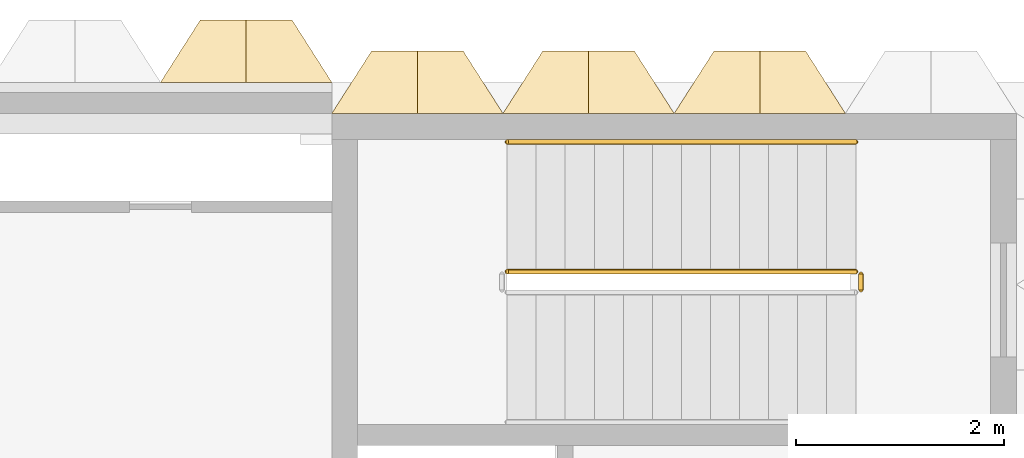
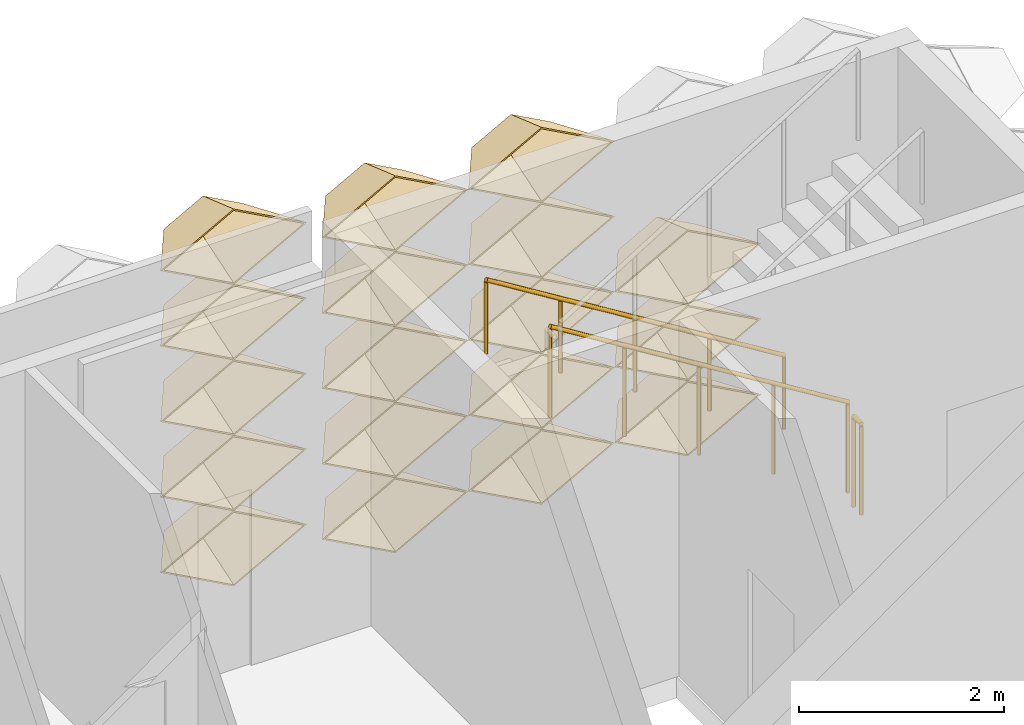
# One storey, part 99 of 102: 18 coverings, 3 railings.
"""IFC4 building model written with IfcOpenShell, lengths in metres."""

from ifc_helpers import new_model, entity, si_unit, direction, frame, origin, origin_2d, place, context, subcontext, project, spatial, circle, extrude, material, layer, layer_set, type_object, element, save


model = new_model("IFC4")

# Units and contexts
model_context = context("Model", 3, precision=1e-05, world=origin(), true_north=direction((0.0, 1.0)))
body_context = subcontext(model_context, "Body", "Model", "MODEL_VIEW")
ifc_project = project(units=[si_unit("LENGTHUNIT", "METRE"), si_unit("AREAUNIT", "SQUARE_METRE"), si_unit("VOLUMEUNIT", "CUBIC_METRE"), si_unit("PLANEANGLEUNIT", "RADIAN"), si_unit("MASSUNIT", "GRAM", prefix="KILO")], contexts=[model_context])

# Site, building, storey
site_placement = place(None, origin())
site = spatial("IfcSite", under=ifc_project, at=site_placement, CompositionType="ELEMENT")
building_placement = place(site_placement, origin())
building = spatial("IfcBuilding", under=site, at=building_placement, Name="Lantern Court Research Institute", CompositionType="ELEMENT")
storey_placement = place(building_placement, frame((0.0, 0.0, 9.89990234375)))
storey = spatial("IfcBuildingStorey", under=building, at=storey_placement, Name="L02", CompositionType="ELEMENT", Elevation=9.89990234375)

# Coverings
ifc_material_1 = material(Name="Anodised aluminium", Category="aluminium")
ifc_layer = layer(ifc_material_1, 0.01611328125)
ifc_layer_set = layer_set([ifc_layer], Name="Anodised aluminium")
covering_type = type_object("IfcCoveringType", Name="Fin cassette 1650 x 900 x 600 aluminium", PredefinedType="CLADDING", material=ifc_layer_set)
covering_1_placement = place(storey_placement, frame((73.425048828125, 99.0, 0.4501953125), z_axis=(0.0, 1.0, 0.0), x_axis=(-1.0, 0.0, 0.0)))
cartesian_point_1 = entity("IfcCartesianPoint", [0.824951171875, 0.0])
cartesian_point_2 = entity("IfcCartesianPoint", [0.79150390625, 0.0])
cartesian_point_3 = entity("IfcCartesianPoint", [0.44189453125, 0.0])
cartesian_point_4 = entity("IfcCartesianPoint", [0.43359375, 0.0])
element("IfcCovering", 1, at=covering_1_placement, inside=storey, type_object=covering_type, Name="Fin cassette V6N-L02 1.45", PredefinedType="CLADDING", context=body_context, shape_type="SweptSolid", body=[
    entity("IfcExtrudedAreaSolidTapered", entity("IfcArbitraryProfileDefWithVoids", "AREA", None, entity("IfcPolyline", [cartesian_point_1, entity("IfcCartesianPoint", [0.0, 0.449951171875]), entity("IfcCartesianPoint", [-0.824951171875, 0.0]), entity("IfcCartesianPoint", [0.0, -0.449951171875]), cartesian_point_1]), [entity("IfcPolyline", [cartesian_point_2, entity("IfcCartesianPoint", [0.0, 0.431884765625]), entity("IfcCartesianPoint", [-0.79150390625, 0.0]), entity("IfcCartesianPoint", [0.0, -0.431884765625]), cartesian_point_2])]), entity("IfcAxis2Placement3D", entity("IfcCartesianPoint", [0.0, 0.0, 0.0])), entity("IfcDirection", [0.0, 0.0, 1.0]), 0.60009765625, entity("IfcArbitraryProfileDefWithVoids", "AREA", None, entity("IfcPolyline", [cartesian_point_3, entity("IfcCartesianPoint", [0.0, 0.240966796875]), entity("IfcCartesianPoint", [-0.44189453125, 0.0]), entity("IfcCartesianPoint", [0.0, -0.240966796875]), cartesian_point_3]), [entity("IfcPolyline", [cartesian_point_4, entity("IfcCartesianPoint", [0.0, 0.236572265625]), entity("IfcCartesianPoint", [-0.43359375, 0.0]), entity("IfcCartesianPoint", [0.0, -0.236572265625]), cartesian_point_4])])),
])
covering_2_placement = place(storey_placement, frame((75.074951171875, 99.0, 0.4501953125), z_axis=(0.0, 1.0, 0.0), x_axis=(-1.0, 0.0, 0.0)))
cartesian_point_5 = entity("IfcCartesianPoint", [0.824951171875, 0.0])
cartesian_point_6 = entity("IfcCartesianPoint", [0.79150390625, 0.0])
cartesian_point_7 = entity("IfcCartesianPoint", [0.44189453125, 0.0])
cartesian_point_8 = entity("IfcCartesianPoint", [0.43359375, 0.0])
element("IfcCovering", 2, at=covering_2_placement, inside=storey, type_object=covering_type, Name="Fin cassette V6N-L02 1.46", PredefinedType="CLADDING", context=body_context, shape_type="SweptSolid", body=[
    entity("IfcExtrudedAreaSolidTapered", entity("IfcArbitraryProfileDefWithVoids", "AREA", None, entity("IfcPolyline", [cartesian_point_5, entity("IfcCartesianPoint", [0.0, 0.449951171875]), entity("IfcCartesianPoint", [-0.824951171875, 0.0]), entity("IfcCartesianPoint", [0.0, -0.449951171875]), cartesian_point_5]), [entity("IfcPolyline", [cartesian_point_6, entity("IfcCartesianPoint", [0.0, 0.431884765625]), entity("IfcCartesianPoint", [-0.79150390625, 0.0]), entity("IfcCartesianPoint", [0.0, -0.431884765625]), cartesian_point_6])]), entity("IfcAxis2Placement3D", entity("IfcCartesianPoint", [0.0, 0.0, 0.0])), entity("IfcDirection", [0.0, 0.0, 1.0]), 0.60009765625, entity("IfcArbitraryProfileDefWithVoids", "AREA", None, entity("IfcPolyline", [cartesian_point_7, entity("IfcCartesianPoint", [0.0, 0.240966796875]), entity("IfcCartesianPoint", [-0.44189453125, 0.0]), entity("IfcCartesianPoint", [0.0, -0.240966796875]), cartesian_point_7]), [entity("IfcPolyline", [cartesian_point_8, entity("IfcCartesianPoint", [0.0, 0.236572265625]), entity("IfcCartesianPoint", [-0.43359375, 0.0]), entity("IfcCartesianPoint", [0.0, -0.236572265625]), cartesian_point_8])])),
])
covering_3_placement = place(storey_placement, frame((76.72509765625, 99.0, 0.4501953125), z_axis=(0.0, 1.0, 0.0), x_axis=(-1.0, 0.0, 0.0)))
cartesian_point_9 = entity("IfcCartesianPoint", [0.824951171875, 0.0])
cartesian_point_10 = entity("IfcCartesianPoint", [0.79150390625, 0.0])
cartesian_point_11 = entity("IfcCartesianPoint", [0.44189453125, 0.0])
cartesian_point_12 = entity("IfcCartesianPoint", [0.43359375, 0.0])
element("IfcCovering", 3, at=covering_3_placement, inside=storey, type_object=covering_type, Name="Fin cassette V6N-L02 1.47", PredefinedType="CLADDING", context=body_context, shape_type="SweptSolid", body=[
    entity("IfcExtrudedAreaSolidTapered", entity("IfcArbitraryProfileDefWithVoids", "AREA", None, entity("IfcPolyline", [cartesian_point_9, entity("IfcCartesianPoint", [0.0, 0.449951171875]), entity("IfcCartesianPoint", [-0.824951171875, 0.0]), entity("IfcCartesianPoint", [0.0, -0.449951171875]), cartesian_point_9]), [entity("IfcPolyline", [cartesian_point_10, entity("IfcCartesianPoint", [0.0, 0.431884765625]), entity("IfcCartesianPoint", [-0.79150390625, 0.0]), entity("IfcCartesianPoint", [0.0, -0.431884765625]), cartesian_point_10])]), entity("IfcAxis2Placement3D", entity("IfcCartesianPoint", [0.0, 0.0, 0.0])), entity("IfcDirection", [0.0, 0.0, 1.0]), 0.60009765625, entity("IfcArbitraryProfileDefWithVoids", "AREA", None, entity("IfcPolyline", [cartesian_point_11, entity("IfcCartesianPoint", [0.0, 0.240966796875]), entity("IfcCartesianPoint", [-0.44189453125, 0.0]), entity("IfcCartesianPoint", [0.0, -0.240966796875]), cartesian_point_11]), [entity("IfcPolyline", [cartesian_point_12, entity("IfcCartesianPoint", [0.0, 0.236572265625]), entity("IfcCartesianPoint", [-0.43359375, 0.0]), entity("IfcCartesianPoint", [0.0, -0.236572265625]), cartesian_point_12])])),
])
covering_4_placement = place(storey_placement, frame((73.425048828125, 99.0, 1.35009765625), z_axis=(0.0, 1.0, 0.0), x_axis=(-1.0, 0.0, 0.0)))
cartesian_point_13 = entity("IfcCartesianPoint", [0.824951171875, 0.0])
cartesian_point_14 = entity("IfcCartesianPoint", [0.79150390625, 0.0])
cartesian_point_15 = entity("IfcCartesianPoint", [0.44189453125, 0.0])
cartesian_point_16 = entity("IfcCartesianPoint", [0.43359375, 0.0])
element("IfcCovering", 4, at=covering_4_placement, inside=storey, type_object=covering_type, Name="Fin cassette V6N-L02 2.45", PredefinedType="CLADDING", context=body_context, shape_type="SweptSolid", body=[
    entity("IfcExtrudedAreaSolidTapered", entity("IfcArbitraryProfileDefWithVoids", "AREA", None, entity("IfcPolyline", [cartesian_point_13, entity("IfcCartesianPoint", [0.0, 0.449951171875]), entity("IfcCartesianPoint", [-0.824951171875, 0.0]), entity("IfcCartesianPoint", [0.0, -0.449951171875]), cartesian_point_13]), [entity("IfcPolyline", [cartesian_point_14, entity("IfcCartesianPoint", [0.0, 0.431884765625]), entity("IfcCartesianPoint", [-0.79150390625, 0.0]), entity("IfcCartesianPoint", [0.0, -0.431884765625]), cartesian_point_14])]), entity("IfcAxis2Placement3D", entity("IfcCartesianPoint", [0.0, 0.0, 0.0])), entity("IfcDirection", [0.0, 0.0, 1.0]), 0.60009765625, entity("IfcArbitraryProfileDefWithVoids", "AREA", None, entity("IfcPolyline", [cartesian_point_15, entity("IfcCartesianPoint", [0.0, 0.240966796875]), entity("IfcCartesianPoint", [-0.44189453125, 0.0]), entity("IfcCartesianPoint", [0.0, -0.240966796875]), cartesian_point_15]), [entity("IfcPolyline", [cartesian_point_16, entity("IfcCartesianPoint", [0.0, 0.236572265625]), entity("IfcCartesianPoint", [-0.43359375, 0.0]), entity("IfcCartesianPoint", [0.0, -0.236572265625]), cartesian_point_16])])),
])
covering_5_placement = place(storey_placement, frame((75.074951171875, 99.0, 1.35009765625), z_axis=(0.0, 1.0, 0.0), x_axis=(-1.0, 0.0, 0.0)))
cartesian_point_17 = entity("IfcCartesianPoint", [0.824951171875, 0.0])
cartesian_point_18 = entity("IfcCartesianPoint", [0.79150390625, 0.0])
cartesian_point_19 = entity("IfcCartesianPoint", [0.44189453125, 0.0])
cartesian_point_20 = entity("IfcCartesianPoint", [0.43359375, 0.0])
element("IfcCovering", 5, at=covering_5_placement, inside=storey, type_object=covering_type, Name="Fin cassette V6N-L02 2.46", PredefinedType="CLADDING", context=body_context, shape_type="SweptSolid", body=[
    entity("IfcExtrudedAreaSolidTapered", entity("IfcArbitraryProfileDefWithVoids", "AREA", None, entity("IfcPolyline", [cartesian_point_17, entity("IfcCartesianPoint", [0.0, 0.449951171875]), entity("IfcCartesianPoint", [-0.824951171875, 0.0]), entity("IfcCartesianPoint", [0.0, -0.449951171875]), cartesian_point_17]), [entity("IfcPolyline", [cartesian_point_18, entity("IfcCartesianPoint", [0.0, 0.431884765625]), entity("IfcCartesianPoint", [-0.79150390625, 0.0]), entity("IfcCartesianPoint", [0.0, -0.431884765625]), cartesian_point_18])]), entity("IfcAxis2Placement3D", entity("IfcCartesianPoint", [0.0, 0.0, 0.0])), entity("IfcDirection", [0.0, 0.0, 1.0]), 0.60009765625, entity("IfcArbitraryProfileDefWithVoids", "AREA", None, entity("IfcPolyline", [cartesian_point_19, entity("IfcCartesianPoint", [0.0, 0.240966796875]), entity("IfcCartesianPoint", [-0.44189453125, 0.0]), entity("IfcCartesianPoint", [0.0, -0.240966796875]), cartesian_point_19]), [entity("IfcPolyline", [cartesian_point_20, entity("IfcCartesianPoint", [0.0, 0.236572265625]), entity("IfcCartesianPoint", [-0.43359375, 0.0]), entity("IfcCartesianPoint", [0.0, -0.236572265625]), cartesian_point_20])])),
])
covering_6_placement = place(storey_placement, frame((76.72509765625, 99.0, 1.35009765625), z_axis=(0.0, 1.0, 0.0), x_axis=(-1.0, 0.0, 0.0)))
cartesian_point_21 = entity("IfcCartesianPoint", [0.824951171875, 0.0])
cartesian_point_22 = entity("IfcCartesianPoint", [0.79150390625, 0.0])
cartesian_point_23 = entity("IfcCartesianPoint", [0.44189453125, 0.0])
cartesian_point_24 = entity("IfcCartesianPoint", [0.43359375, 0.0])
element("IfcCovering", 6, at=covering_6_placement, inside=storey, type_object=covering_type, Name="Fin cassette V6N-L02 2.47", PredefinedType="CLADDING", context=body_context, shape_type="SweptSolid", body=[
    entity("IfcExtrudedAreaSolidTapered", entity("IfcArbitraryProfileDefWithVoids", "AREA", None, entity("IfcPolyline", [cartesian_point_21, entity("IfcCartesianPoint", [0.0, 0.449951171875]), entity("IfcCartesianPoint", [-0.824951171875, 0.0]), entity("IfcCartesianPoint", [0.0, -0.449951171875]), cartesian_point_21]), [entity("IfcPolyline", [cartesian_point_22, entity("IfcCartesianPoint", [0.0, 0.431884765625]), entity("IfcCartesianPoint", [-0.79150390625, 0.0]), entity("IfcCartesianPoint", [0.0, -0.431884765625]), cartesian_point_22])]), entity("IfcAxis2Placement3D", entity("IfcCartesianPoint", [0.0, 0.0, 0.0])), entity("IfcDirection", [0.0, 0.0, 1.0]), 0.60009765625, entity("IfcArbitraryProfileDefWithVoids", "AREA", None, entity("IfcPolyline", [cartesian_point_23, entity("IfcCartesianPoint", [0.0, 0.240966796875]), entity("IfcCartesianPoint", [-0.44189453125, 0.0]), entity("IfcCartesianPoint", [0.0, -0.240966796875]), cartesian_point_23]), [entity("IfcPolyline", [cartesian_point_24, entity("IfcCartesianPoint", [0.0, 0.236572265625]), entity("IfcCartesianPoint", [-0.43359375, 0.0]), entity("IfcCartesianPoint", [0.0, -0.236572265625]), cartesian_point_24])])),
])
covering_7_placement = place(storey_placement, frame((73.425048828125, 99.0, 2.25), z_axis=(0.0, 1.0, 0.0), x_axis=(-1.0, 0.0, 0.0)))
cartesian_point_25 = entity("IfcCartesianPoint", [0.824951171875, 0.0])
cartesian_point_26 = entity("IfcCartesianPoint", [0.79150390625, 0.0])
cartesian_point_27 = entity("IfcCartesianPoint", [0.44189453125, 0.0])
cartesian_point_28 = entity("IfcCartesianPoint", [0.43359375, 0.0])
element("IfcCovering", 7, at=covering_7_placement, inside=storey, type_object=covering_type, Name="Fin cassette V6N-L02 3.45", PredefinedType="CLADDING", context=body_context, shape_type="SweptSolid", body=[
    entity("IfcExtrudedAreaSolidTapered", entity("IfcArbitraryProfileDefWithVoids", "AREA", None, entity("IfcPolyline", [cartesian_point_25, entity("IfcCartesianPoint", [0.0, 0.449951171875]), entity("IfcCartesianPoint", [-0.824951171875, 0.0]), entity("IfcCartesianPoint", [0.0, -0.449951171875]), cartesian_point_25]), [entity("IfcPolyline", [cartesian_point_26, entity("IfcCartesianPoint", [0.0, 0.431884765625]), entity("IfcCartesianPoint", [-0.79150390625, 0.0]), entity("IfcCartesianPoint", [0.0, -0.431884765625]), cartesian_point_26])]), entity("IfcAxis2Placement3D", entity("IfcCartesianPoint", [0.0, 0.0, 0.0])), entity("IfcDirection", [0.0, 0.0, 1.0]), 0.60009765625, entity("IfcArbitraryProfileDefWithVoids", "AREA", None, entity("IfcPolyline", [cartesian_point_27, entity("IfcCartesianPoint", [0.0, 0.240966796875]), entity("IfcCartesianPoint", [-0.44189453125, 0.0]), entity("IfcCartesianPoint", [0.0, -0.240966796875]), cartesian_point_27]), [entity("IfcPolyline", [cartesian_point_28, entity("IfcCartesianPoint", [0.0, 0.236572265625]), entity("IfcCartesianPoint", [-0.43359375, 0.0]), entity("IfcCartesianPoint", [0.0, -0.236572265625]), cartesian_point_28])])),
])
covering_8_placement = place(storey_placement, frame((75.074951171875, 99.0, 2.25), z_axis=(0.0, 1.0, 0.0), x_axis=(-1.0, 0.0, 0.0)))
cartesian_point_29 = entity("IfcCartesianPoint", [0.824951171875, 0.0])
cartesian_point_30 = entity("IfcCartesianPoint", [0.79150390625, 0.0])
cartesian_point_31 = entity("IfcCartesianPoint", [0.44189453125, 0.0])
cartesian_point_32 = entity("IfcCartesianPoint", [0.43359375, 0.0])
element("IfcCovering", 8, at=covering_8_placement, inside=storey, type_object=covering_type, Name="Fin cassette V6N-L02 3.46", PredefinedType="CLADDING", context=body_context, shape_type="SweptSolid", body=[
    entity("IfcExtrudedAreaSolidTapered", entity("IfcArbitraryProfileDefWithVoids", "AREA", None, entity("IfcPolyline", [cartesian_point_29, entity("IfcCartesianPoint", [0.0, 0.449951171875]), entity("IfcCartesianPoint", [-0.824951171875, 0.0]), entity("IfcCartesianPoint", [0.0, -0.449951171875]), cartesian_point_29]), [entity("IfcPolyline", [cartesian_point_30, entity("IfcCartesianPoint", [0.0, 0.431884765625]), entity("IfcCartesianPoint", [-0.79150390625, 0.0]), entity("IfcCartesianPoint", [0.0, -0.431884765625]), cartesian_point_30])]), entity("IfcAxis2Placement3D", entity("IfcCartesianPoint", [0.0, 0.0, 0.0])), entity("IfcDirection", [0.0, 0.0, 1.0]), 0.60009765625, entity("IfcArbitraryProfileDefWithVoids", "AREA", None, entity("IfcPolyline", [cartesian_point_31, entity("IfcCartesianPoint", [0.0, 0.240966796875]), entity("IfcCartesianPoint", [-0.44189453125, 0.0]), entity("IfcCartesianPoint", [0.0, -0.240966796875]), cartesian_point_31]), [entity("IfcPolyline", [cartesian_point_32, entity("IfcCartesianPoint", [0.0, 0.236572265625]), entity("IfcCartesianPoint", [-0.43359375, 0.0]), entity("IfcCartesianPoint", [0.0, -0.236572265625]), cartesian_point_32])])),
])
covering_9_placement = place(storey_placement, frame((76.72509765625, 99.0, 2.25), z_axis=(0.0, 1.0, 0.0), x_axis=(-1.0, 0.0, 0.0)))
cartesian_point_33 = entity("IfcCartesianPoint", [0.824951171875, 0.0])
cartesian_point_34 = entity("IfcCartesianPoint", [0.79150390625, 0.0])
cartesian_point_35 = entity("IfcCartesianPoint", [0.44189453125, 0.0])
cartesian_point_36 = entity("IfcCartesianPoint", [0.43359375, 0.0])
element("IfcCovering", 9, at=covering_9_placement, inside=storey, type_object=covering_type, Name="Fin cassette V6N-L02 3.47", PredefinedType="CLADDING", context=body_context, shape_type="SweptSolid", body=[
    entity("IfcExtrudedAreaSolidTapered", entity("IfcArbitraryProfileDefWithVoids", "AREA", None, entity("IfcPolyline", [cartesian_point_33, entity("IfcCartesianPoint", [0.0, 0.449951171875]), entity("IfcCartesianPoint", [-0.824951171875, 0.0]), entity("IfcCartesianPoint", [0.0, -0.449951171875]), cartesian_point_33]), [entity("IfcPolyline", [cartesian_point_34, entity("IfcCartesianPoint", [0.0, 0.431884765625]), entity("IfcCartesianPoint", [-0.79150390625, 0.0]), entity("IfcCartesianPoint", [0.0, -0.431884765625]), cartesian_point_34])]), entity("IfcAxis2Placement3D", entity("IfcCartesianPoint", [0.0, 0.0, 0.0])), entity("IfcDirection", [0.0, 0.0, 1.0]), 0.60009765625, entity("IfcArbitraryProfileDefWithVoids", "AREA", None, entity("IfcPolyline", [cartesian_point_35, entity("IfcCartesianPoint", [0.0, 0.240966796875]), entity("IfcCartesianPoint", [-0.44189453125, 0.0]), entity("IfcCartesianPoint", [0.0, -0.240966796875]), cartesian_point_35]), [entity("IfcPolyline", [cartesian_point_36, entity("IfcCartesianPoint", [0.0, 0.236572265625]), entity("IfcCartesianPoint", [-0.43359375, 0.0]), entity("IfcCartesianPoint", [0.0, -0.236572265625]), cartesian_point_36])])),
])
covering_10_placement = place(storey_placement, frame((73.425048828125, 99.0, 3.150146484375), z_axis=(0.0, 1.0, 0.0), x_axis=(-1.0, 0.0, 0.0)))
cartesian_point_37 = entity("IfcCartesianPoint", [0.824951171875, 0.0])
cartesian_point_38 = entity("IfcCartesianPoint", [0.79150390625, 0.0])
cartesian_point_39 = entity("IfcCartesianPoint", [0.44189453125, 0.0])
cartesian_point_40 = entity("IfcCartesianPoint", [0.43359375, 0.0])
element("IfcCovering", 10, at=covering_10_placement, inside=storey, type_object=covering_type, Name="Fin cassette V6N-L02 4.45", PredefinedType="CLADDING", context=body_context, shape_type="SweptSolid", body=[
    entity("IfcExtrudedAreaSolidTapered", entity("IfcArbitraryProfileDefWithVoids", "AREA", None, entity("IfcPolyline", [cartesian_point_37, entity("IfcCartesianPoint", [0.0, 0.449951171875]), entity("IfcCartesianPoint", [-0.824951171875, 0.0]), entity("IfcCartesianPoint", [0.0, -0.449951171875]), cartesian_point_37]), [entity("IfcPolyline", [cartesian_point_38, entity("IfcCartesianPoint", [0.0, 0.431884765625]), entity("IfcCartesianPoint", [-0.79150390625, 0.0]), entity("IfcCartesianPoint", [0.0, -0.431884765625]), cartesian_point_38])]), entity("IfcAxis2Placement3D", entity("IfcCartesianPoint", [0.0, 0.0, 0.0])), entity("IfcDirection", [0.0, 0.0, 1.0]), 0.60009765625, entity("IfcArbitraryProfileDefWithVoids", "AREA", None, entity("IfcPolyline", [cartesian_point_39, entity("IfcCartesianPoint", [0.0, 0.240966796875]), entity("IfcCartesianPoint", [-0.44189453125, 0.0]), entity("IfcCartesianPoint", [0.0, -0.240966796875]), cartesian_point_39]), [entity("IfcPolyline", [cartesian_point_40, entity("IfcCartesianPoint", [0.0, 0.236572265625]), entity("IfcCartesianPoint", [-0.43359375, 0.0]), entity("IfcCartesianPoint", [0.0, -0.236572265625]), cartesian_point_40])])),
])
covering_11_placement = place(storey_placement, frame((75.074951171875, 99.0, 3.150146484375), z_axis=(0.0, 1.0, 0.0), x_axis=(-1.0, 0.0, 0.0)))
cartesian_point_41 = entity("IfcCartesianPoint", [0.824951171875, 0.0])
cartesian_point_42 = entity("IfcCartesianPoint", [0.79150390625, 0.0])
cartesian_point_43 = entity("IfcCartesianPoint", [0.44189453125, 0.0])
cartesian_point_44 = entity("IfcCartesianPoint", [0.43359375, 0.0])
element("IfcCovering", 11, at=covering_11_placement, inside=storey, type_object=covering_type, Name="Fin cassette V6N-L02 4.46", PredefinedType="CLADDING", context=body_context, shape_type="SweptSolid", body=[
    entity("IfcExtrudedAreaSolidTapered", entity("IfcArbitraryProfileDefWithVoids", "AREA", None, entity("IfcPolyline", [cartesian_point_41, entity("IfcCartesianPoint", [0.0, 0.449951171875]), entity("IfcCartesianPoint", [-0.824951171875, 0.0]), entity("IfcCartesianPoint", [0.0, -0.449951171875]), cartesian_point_41]), [entity("IfcPolyline", [cartesian_point_42, entity("IfcCartesianPoint", [0.0, 0.431884765625]), entity("IfcCartesianPoint", [-0.79150390625, 0.0]), entity("IfcCartesianPoint", [0.0, -0.431884765625]), cartesian_point_42])]), entity("IfcAxis2Placement3D", entity("IfcCartesianPoint", [0.0, 0.0, 0.0])), entity("IfcDirection", [0.0, 0.0, 1.0]), 0.60009765625, entity("IfcArbitraryProfileDefWithVoids", "AREA", None, entity("IfcPolyline", [cartesian_point_43, entity("IfcCartesianPoint", [0.0, 0.240966796875]), entity("IfcCartesianPoint", [-0.44189453125, 0.0]), entity("IfcCartesianPoint", [0.0, -0.240966796875]), cartesian_point_43]), [entity("IfcPolyline", [cartesian_point_44, entity("IfcCartesianPoint", [0.0, 0.236572265625]), entity("IfcCartesianPoint", [-0.43359375, 0.0]), entity("IfcCartesianPoint", [0.0, -0.236572265625]), cartesian_point_44])])),
])
covering_12_placement = place(storey_placement, frame((73.425048828125, 99.0, 4.050048828125), z_axis=(0.0, 1.0, 0.0), x_axis=(-1.0, 0.0, 0.0)))
cartesian_point_45 = entity("IfcCartesianPoint", [0.824951171875, 0.0])
cartesian_point_46 = entity("IfcCartesianPoint", [0.79150390625, 0.0])
cartesian_point_47 = entity("IfcCartesianPoint", [0.44189453125, 0.0])
cartesian_point_48 = entity("IfcCartesianPoint", [0.43359375, 0.0])
element("IfcCovering", 12, at=covering_12_placement, inside=storey, type_object=covering_type, Name="Fin cassette V6N-L02 5.45", PredefinedType="CLADDING", context=body_context, shape_type="SweptSolid", body=[
    entity("IfcExtrudedAreaSolidTapered", entity("IfcArbitraryProfileDefWithVoids", "AREA", None, entity("IfcPolyline", [cartesian_point_45, entity("IfcCartesianPoint", [0.0, 0.449951171875]), entity("IfcCartesianPoint", [-0.824951171875, 0.0]), entity("IfcCartesianPoint", [0.0, -0.449951171875]), cartesian_point_45]), [entity("IfcPolyline", [cartesian_point_46, entity("IfcCartesianPoint", [0.0, 0.431884765625]), entity("IfcCartesianPoint", [-0.79150390625, 0.0]), entity("IfcCartesianPoint", [0.0, -0.431884765625]), cartesian_point_46])]), entity("IfcAxis2Placement3D", entity("IfcCartesianPoint", [0.0, 0.0, 0.0])), entity("IfcDirection", [0.0, 0.0, 1.0]), 0.60009765625, entity("IfcArbitraryProfileDefWithVoids", "AREA", None, entity("IfcPolyline", [cartesian_point_47, entity("IfcCartesianPoint", [0.0, 0.240966796875]), entity("IfcCartesianPoint", [-0.44189453125, 0.0]), entity("IfcCartesianPoint", [0.0, -0.240966796875]), cartesian_point_47]), [entity("IfcPolyline", [cartesian_point_48, entity("IfcCartesianPoint", [0.0, 0.236572265625]), entity("IfcCartesianPoint", [-0.43359375, 0.0]), entity("IfcCartesianPoint", [0.0, -0.236572265625]), cartesian_point_48])])),
])
covering_13_placement = place(storey_placement, frame((75.074951171875, 99.0, 4.050048828125), z_axis=(0.0, 1.0, 0.0), x_axis=(-1.0, 0.0, 0.0)))
cartesian_point_49 = entity("IfcCartesianPoint", [0.824951171875, 0.0])
cartesian_point_50 = entity("IfcCartesianPoint", [0.79150390625, 0.0])
cartesian_point_51 = entity("IfcCartesianPoint", [0.44189453125, 0.0])
cartesian_point_52 = entity("IfcCartesianPoint", [0.43359375, 0.0])
element("IfcCovering", 13, at=covering_13_placement, inside=storey, type_object=covering_type, Name="Fin cassette V6N-L02 5.46", PredefinedType="CLADDING", context=body_context, shape_type="SweptSolid", body=[
    entity("IfcExtrudedAreaSolidTapered", entity("IfcArbitraryProfileDefWithVoids", "AREA", None, entity("IfcPolyline", [cartesian_point_49, entity("IfcCartesianPoint", [0.0, 0.449951171875]), entity("IfcCartesianPoint", [-0.824951171875, 0.0]), entity("IfcCartesianPoint", [0.0, -0.449951171875]), cartesian_point_49]), [entity("IfcPolyline", [cartesian_point_50, entity("IfcCartesianPoint", [0.0, 0.431884765625]), entity("IfcCartesianPoint", [-0.79150390625, 0.0]), entity("IfcCartesianPoint", [0.0, -0.431884765625]), cartesian_point_50])]), entity("IfcAxis2Placement3D", entity("IfcCartesianPoint", [0.0, 0.0, 0.0])), entity("IfcDirection", [0.0, 0.0, 1.0]), 0.60009765625, entity("IfcArbitraryProfileDefWithVoids", "AREA", None, entity("IfcPolyline", [cartesian_point_51, entity("IfcCartesianPoint", [0.0, 0.240966796875]), entity("IfcCartesianPoint", [-0.44189453125, 0.0]), entity("IfcCartesianPoint", [0.0, -0.240966796875]), cartesian_point_51]), [entity("IfcPolyline", [cartesian_point_52, entity("IfcCartesianPoint", [0.0, 0.236572265625]), entity("IfcCartesianPoint", [-0.43359375, 0.0]), entity("IfcCartesianPoint", [0.0, -0.236572265625]), cartesian_point_52])])),
])
covering_14_placement = place(storey_placement, frame((71.77490234375, 99.300048828125, 0.4501953125), z_axis=(0.0, 1.0, 0.0), x_axis=(-1.0, 0.0, 0.0)))
cartesian_point_53 = entity("IfcCartesianPoint", [0.824951171875, 0.0])
cartesian_point_54 = entity("IfcCartesianPoint", [0.79150390625, 0.0])
cartesian_point_55 = entity("IfcCartesianPoint", [0.44189453125, 0.0])
cartesian_point_56 = entity("IfcCartesianPoint", [0.43359375, 0.0])
element("IfcCovering", 14, at=covering_14_placement, inside=storey, type_object=covering_type, Name="Fin cassette V6N-L02 1.44", PredefinedType="CLADDING", context=body_context, shape_type="SweptSolid", body=[
    entity("IfcExtrudedAreaSolidTapered", entity("IfcArbitraryProfileDefWithVoids", "AREA", None, entity("IfcPolyline", [cartesian_point_53, entity("IfcCartesianPoint", [0.0, 0.449951171875]), entity("IfcCartesianPoint", [-0.824951171875, 0.0]), entity("IfcCartesianPoint", [0.0, -0.449951171875]), cartesian_point_53]), [entity("IfcPolyline", [cartesian_point_54, entity("IfcCartesianPoint", [0.0, 0.431884765625]), entity("IfcCartesianPoint", [-0.79150390625, 0.0]), entity("IfcCartesianPoint", [0.0, -0.431884765625]), cartesian_point_54])]), entity("IfcAxis2Placement3D", entity("IfcCartesianPoint", [0.0, 0.0, 0.0])), entity("IfcDirection", [0.0, 0.0, 1.0]), 0.60009765625, entity("IfcArbitraryProfileDefWithVoids", "AREA", None, entity("IfcPolyline", [cartesian_point_55, entity("IfcCartesianPoint", [0.0, 0.240966796875]), entity("IfcCartesianPoint", [-0.44189453125, 0.0]), entity("IfcCartesianPoint", [0.0, -0.240966796875]), cartesian_point_55]), [entity("IfcPolyline", [cartesian_point_56, entity("IfcCartesianPoint", [0.0, 0.236572265625]), entity("IfcCartesianPoint", [-0.43359375, 0.0]), entity("IfcCartesianPoint", [0.0, -0.236572265625]), cartesian_point_56])])),
])
covering_15_placement = place(storey_placement, frame((71.77490234375, 99.300048828125, 1.35009765625), z_axis=(0.0, 1.0, 0.0), x_axis=(-1.0, 0.0, 0.0)))
cartesian_point_57 = entity("IfcCartesianPoint", [0.824951171875, 0.0])
cartesian_point_58 = entity("IfcCartesianPoint", [0.79150390625, 0.0])
cartesian_point_59 = entity("IfcCartesianPoint", [0.44189453125, 0.0])
cartesian_point_60 = entity("IfcCartesianPoint", [0.43359375, 0.0])
element("IfcCovering", 15, at=covering_15_placement, inside=storey, type_object=covering_type, Name="Fin cassette V6N-L02 2.44", PredefinedType="CLADDING", context=body_context, shape_type="SweptSolid", body=[
    entity("IfcExtrudedAreaSolidTapered", entity("IfcArbitraryProfileDefWithVoids", "AREA", None, entity("IfcPolyline", [cartesian_point_57, entity("IfcCartesianPoint", [0.0, 0.449951171875]), entity("IfcCartesianPoint", [-0.824951171875, 0.0]), entity("IfcCartesianPoint", [0.0, -0.449951171875]), cartesian_point_57]), [entity("IfcPolyline", [cartesian_point_58, entity("IfcCartesianPoint", [0.0, 0.431884765625]), entity("IfcCartesianPoint", [-0.79150390625, 0.0]), entity("IfcCartesianPoint", [0.0, -0.431884765625]), cartesian_point_58])]), entity("IfcAxis2Placement3D", entity("IfcCartesianPoint", [0.0, 0.0, 0.0])), entity("IfcDirection", [0.0, 0.0, 1.0]), 0.60009765625, entity("IfcArbitraryProfileDefWithVoids", "AREA", None, entity("IfcPolyline", [cartesian_point_59, entity("IfcCartesianPoint", [0.0, 0.240966796875]), entity("IfcCartesianPoint", [-0.44189453125, 0.0]), entity("IfcCartesianPoint", [0.0, -0.240966796875]), cartesian_point_59]), [entity("IfcPolyline", [cartesian_point_60, entity("IfcCartesianPoint", [0.0, 0.236572265625]), entity("IfcCartesianPoint", [-0.43359375, 0.0]), entity("IfcCartesianPoint", [0.0, -0.236572265625]), cartesian_point_60])])),
])
covering_16_placement = place(storey_placement, frame((71.77490234375, 99.300048828125, 2.25), z_axis=(0.0, 1.0, 0.0), x_axis=(-1.0, 0.0, 0.0)))
cartesian_point_61 = entity("IfcCartesianPoint", [0.824951171875, 0.0])
cartesian_point_62 = entity("IfcCartesianPoint", [0.79150390625, 0.0])
cartesian_point_63 = entity("IfcCartesianPoint", [0.44189453125, 0.0])
cartesian_point_64 = entity("IfcCartesianPoint", [0.43359375, 0.0])
element("IfcCovering", 16, at=covering_16_placement, inside=storey, type_object=covering_type, Name="Fin cassette V6N-L02 3.44", PredefinedType="CLADDING", context=body_context, shape_type="SweptSolid", body=[
    entity("IfcExtrudedAreaSolidTapered", entity("IfcArbitraryProfileDefWithVoids", "AREA", None, entity("IfcPolyline", [cartesian_point_61, entity("IfcCartesianPoint", [0.0, 0.449951171875]), entity("IfcCartesianPoint", [-0.824951171875, 0.0]), entity("IfcCartesianPoint", [0.0, -0.449951171875]), cartesian_point_61]), [entity("IfcPolyline", [cartesian_point_62, entity("IfcCartesianPoint", [0.0, 0.431884765625]), entity("IfcCartesianPoint", [-0.79150390625, 0.0]), entity("IfcCartesianPoint", [0.0, -0.431884765625]), cartesian_point_62])]), entity("IfcAxis2Placement3D", entity("IfcCartesianPoint", [0.0, 0.0, 0.0])), entity("IfcDirection", [0.0, 0.0, 1.0]), 0.60009765625, entity("IfcArbitraryProfileDefWithVoids", "AREA", None, entity("IfcPolyline", [cartesian_point_63, entity("IfcCartesianPoint", [0.0, 0.240966796875]), entity("IfcCartesianPoint", [-0.44189453125, 0.0]), entity("IfcCartesianPoint", [0.0, -0.240966796875]), cartesian_point_63]), [entity("IfcPolyline", [cartesian_point_64, entity("IfcCartesianPoint", [0.0, 0.236572265625]), entity("IfcCartesianPoint", [-0.43359375, 0.0]), entity("IfcCartesianPoint", [0.0, -0.236572265625]), cartesian_point_64])])),
])
covering_17_placement = place(storey_placement, frame((71.77490234375, 99.300048828125, 3.150146484375), z_axis=(0.0, 1.0, 0.0), x_axis=(-1.0, 0.0, 0.0)))
cartesian_point_65 = entity("IfcCartesianPoint", [0.824951171875, 0.0])
cartesian_point_66 = entity("IfcCartesianPoint", [0.79150390625, 0.0])
cartesian_point_67 = entity("IfcCartesianPoint", [0.44189453125, 0.0])
cartesian_point_68 = entity("IfcCartesianPoint", [0.43359375, 0.0])
element("IfcCovering", 17, at=covering_17_placement, inside=storey, type_object=covering_type, Name="Fin cassette V6N-L02 4.44", PredefinedType="CLADDING", context=body_context, shape_type="SweptSolid", body=[
    entity("IfcExtrudedAreaSolidTapered", entity("IfcArbitraryProfileDefWithVoids", "AREA", None, entity("IfcPolyline", [cartesian_point_65, entity("IfcCartesianPoint", [0.0, 0.449951171875]), entity("IfcCartesianPoint", [-0.824951171875, 0.0]), entity("IfcCartesianPoint", [0.0, -0.449951171875]), cartesian_point_65]), [entity("IfcPolyline", [cartesian_point_66, entity("IfcCartesianPoint", [0.0, 0.431884765625]), entity("IfcCartesianPoint", [-0.79150390625, 0.0]), entity("IfcCartesianPoint", [0.0, -0.431884765625]), cartesian_point_66])]), entity("IfcAxis2Placement3D", entity("IfcCartesianPoint", [0.0, 0.0, 0.0])), entity("IfcDirection", [0.0, 0.0, 1.0]), 0.60009765625, entity("IfcArbitraryProfileDefWithVoids", "AREA", None, entity("IfcPolyline", [cartesian_point_67, entity("IfcCartesianPoint", [0.0, 0.240966796875]), entity("IfcCartesianPoint", [-0.44189453125, 0.0]), entity("IfcCartesianPoint", [0.0, -0.240966796875]), cartesian_point_67]), [entity("IfcPolyline", [cartesian_point_68, entity("IfcCartesianPoint", [0.0, 0.236572265625]), entity("IfcCartesianPoint", [-0.43359375, 0.0]), entity("IfcCartesianPoint", [0.0, -0.236572265625]), cartesian_point_68])])),
])
covering_18_placement = place(storey_placement, frame((71.77490234375, 99.300048828125, 4.050048828125), z_axis=(0.0, 1.0, 0.0), x_axis=(-1.0, 0.0, 0.0)))
cartesian_point_69 = entity("IfcCartesianPoint", [0.824951171875, 0.0])
cartesian_point_70 = entity("IfcCartesianPoint", [0.79150390625, 0.0])
cartesian_point_71 = entity("IfcCartesianPoint", [0.44189453125, 0.0])
cartesian_point_72 = entity("IfcCartesianPoint", [0.43359375, 0.0])
element("IfcCovering", 18, at=covering_18_placement, inside=storey, type_object=covering_type, Name="Fin cassette V6N-L02 5.44", PredefinedType="CLADDING", context=body_context, shape_type="SweptSolid", body=[
    entity("IfcExtrudedAreaSolidTapered", entity("IfcArbitraryProfileDefWithVoids", "AREA", None, entity("IfcPolyline", [cartesian_point_69, entity("IfcCartesianPoint", [0.0, 0.449951171875]), entity("IfcCartesianPoint", [-0.824951171875, 0.0]), entity("IfcCartesianPoint", [0.0, -0.449951171875]), cartesian_point_69]), [entity("IfcPolyline", [cartesian_point_70, entity("IfcCartesianPoint", [0.0, 0.431884765625]), entity("IfcCartesianPoint", [-0.79150390625, 0.0]), entity("IfcCartesianPoint", [0.0, -0.431884765625]), cartesian_point_70])]), entity("IfcAxis2Placement3D", entity("IfcCartesianPoint", [0.0, 0.0, 0.0])), entity("IfcDirection", [0.0, 0.0, 1.0]), 0.60009765625, entity("IfcArbitraryProfileDefWithVoids", "AREA", None, entity("IfcPolyline", [cartesian_point_71, entity("IfcCartesianPoint", [0.0, 0.240966796875]), entity("IfcCartesianPoint", [-0.44189453125, 0.0]), entity("IfcCartesianPoint", [0.0, -0.240966796875]), cartesian_point_71]), [entity("IfcPolyline", [cartesian_point_72, entity("IfcCartesianPoint", [0.0, 0.236572265625]), entity("IfcCartesianPoint", [-0.43359375, 0.0]), entity("IfcCartesianPoint", [0.0, -0.236572265625]), cartesian_point_72])])),
])

# Railings
ifc_material_2 = material(Name="Structural steel S355", Category="steel")
railing_type_1 = type_object("IfcRailingType", Name="Stair guard 1100 steel", PredefinedType="GUARDRAIL", material=ifc_material_2)
railing_1_placement = place(storey_placement, frame((77.64990234375, 97.47509765625, 0.173095703125)))
element("IfcRailing", 19, at=railing_1_placement, inside=storey, type_object=railing_type_1, Name="L02 ST-W3 stair guard 1", PredefinedType="GUARDRAIL", context=body_context, shape_type="SweptSolid", body=[
    extrude(circle(Radius=0.02392578125, at=origin_2d()), frame((0.0, 0.0, 1.076171875), z_axis=(-0.850606129759, 0.0, 0.525803396734), x_axis=(0.0, -1.0, 0.0)), (0.0, 0.0, 1.0), 3.949951171875),
    extrude(circle(Radius=0.02099609375, at=origin_2d()), origin(), (0.0, 0.0, 1.0), 1.052001953125),
    extrude(circle(Radius=0.02099609375, at=origin_2d()), frame((-0.83984375, 0.0, 0.519287109375)), (0.0, 0.0, 1.0), 1.052001953125),
    extrude(circle(Radius=0.02099609375, at=origin_2d()), frame((-1.679931640625, 0.0, 1.03857421875)), (0.0, 0.0, 1.0), 1.052001953125),
    extrude(circle(Radius=0.02099609375, at=origin_2d()), frame((-2.52001953125, 0.0, 1.5576171875)), (0.0, 0.0, 1.0), 1.052001953125),
    extrude(circle(Radius=0.02099609375, at=origin_2d()), frame((-3.35986328125, 0.0, 2.076904296875)), (0.0, 0.0, 1.0), 1.052001953125),
])
railing_2_placement = place(storey_placement, frame((77.699951171875, 97.449951171875, 0.0)))
element("IfcRailing", 20, at=railing_2_placement, inside=storey, type_object=railing_type_1, Name="L02 ST-W3 stair guard 4", PredefinedType="GUARDRAIL", context=body_context, shape_type="SweptSolid", body=[
    extrude(circle(Radius=0.02392578125, at=origin_2d()), frame((0.0, 0.0, 1.076171875), z_axis=(0.0, -1.0, 0.0), x_axis=(1.0, 0.0, 0.0)), (0.0, 0.0, 1.0), 0.14990234375),
    extrude(circle(Radius=0.02099609375, at=origin_2d()), origin(), (0.0, 0.0, 1.0), 1.052001953125),
    extrude(circle(Radius=0.02099609375, at=origin_2d()), frame((0.0, -0.14990234375, 0.0)), (0.0, 0.0, 1.0), 1.052001953125),
])
ifc_material_3 = material(Name="Stainless steel 316", Category="steel")
railing_type_2 = type_object("IfcRailingType", Name="Stair handrail 900 steel", PredefinedType="HANDRAIL", material=ifc_material_3)
railing_3_placement = place(storey_placement, frame((77.64990234375, 98.72509765625, 0.173095703125)))
element("IfcRailing", 21, at=railing_3_placement, inside=storey, type_object=railing_type_2, Name="L02 ST-W3 stair handrail 1", PredefinedType="HANDRAIL", context=body_context, shape_type="SweptSolid", body=[
    extrude(circle(Radius=0.02392578125, at=origin_2d()), frame((0.0, 0.0, 0.8759765625), z_axis=(-0.850606129759, 0.0, 0.525803396734), x_axis=(0.0, -1.0, 0.0)), (0.0, 0.0, 1.0), 3.949951171875),
    extrude(circle(Radius=0.02099609375, at=origin_2d()), origin(), (0.0, 0.0, 1.0), 0.851806640625),
    extrude(circle(Radius=0.02099609375, at=origin_2d()), frame((-0.83984375, 0.0, 0.519287109375)), (0.0, 0.0, 1.0), 0.851806640625),
    extrude(circle(Radius=0.02099609375, at=origin_2d()), frame((-1.679931640625, 0.0, 1.03857421875)), (0.0, 0.0, 1.0), 0.851806640625),
    extrude(circle(Radius=0.02099609375, at=origin_2d()), frame((-2.52001953125, 0.0, 1.5576171875)), (0.0, 0.0, 1.0), 0.851806640625),
    extrude(circle(Radius=0.02099609375, at=origin_2d()), frame((-3.35986328125, 0.0, 2.076904296875)), (0.0, 0.0, 1.0), 0.851806640625),
])

save(model, "model.ifc")
